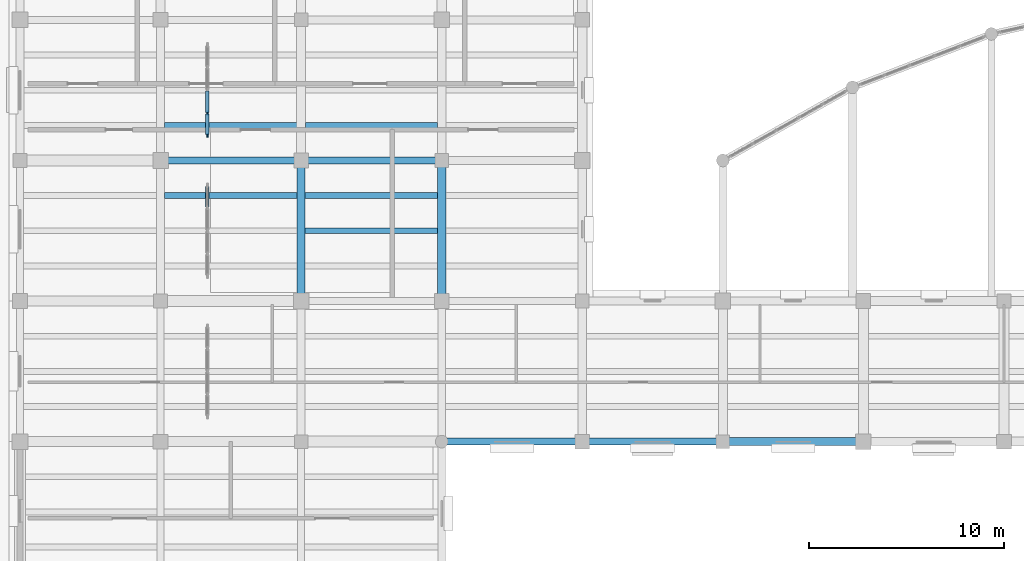
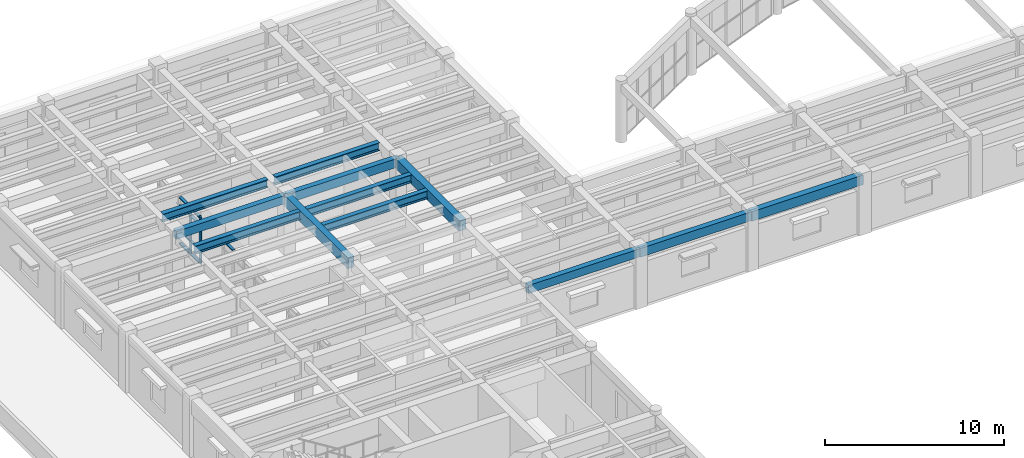
# One storey, part 14 of 76: 12 beams, 11 members, 2 elements without a shape of their own.
"""IFC4 building model written with IfcOpenShell, lengths in metres."""

from ifc_helpers import new_model, si_unit, direction, frame, origin, origin_2d, place, context, subcontext, project, spatial, rectangle, i_section, extrude, material, material_profile, profile_set, type_object, element, aggregate, save


model = new_model("IFC4")

# Units and contexts
model_context = context("Model", 3, precision=1e-05, world=origin(), true_north=direction((0.0, 1.0)))
body_context = subcontext(model_context, "Body", "Model", "MODEL_VIEW")
ifc_project = project(units=[si_unit("LENGTHUNIT", "METRE"), si_unit("AREAUNIT", "SQUARE_METRE"), si_unit("VOLUMEUNIT", "CUBIC_METRE"), si_unit("PLANEANGLEUNIT", "RADIAN"), si_unit("MASSUNIT", "GRAM", prefix="KILO")], contexts=[model_context])

# Site, building, storey
site_placement = place(None, origin())
site = spatial("IfcSite", under=ifc_project, at=site_placement, CompositionType="ELEMENT")
building_placement = place(site_placement, origin())
building = spatial("IfcBuilding", under=site, at=building_placement, Name="Mithqara Police Headquarters", CompositionType="ELEMENT")
storey_placement = place(building_placement, frame((0.0, 0.0, 5.39990234375)))
storey = spatial("IfcBuildingStorey", under=building, at=storey_placement, Name="L01", CompositionType="ELEMENT", Elevation=5.39990234375)

# Beams
ifc_material_1 = material(Name="Steel S355JR", Category="steel")
ifc_material_profile_1 = material_profile(ifc_material_1, i_section(OverallWidth=0.300048828125, OverallDepth=0.550048828125, WebThickness=0.014892578125, FlangeThickness=0.029052734375, FilletRadius=0.027099609375, at=origin_2d()), Name="HEB 550")
ifc_profile_set_1 = profile_set([ifc_material_profile_1], Name="Steel S355JR")
beam_type_1 = type_object("IfcBeamType", Name="BEAM HEB550", PredefinedType="BEAM", material=ifc_profile_set_1)
beam_1_placement = place(storey_placement, frame((15.199951171875, 91.199951171875, 3.64501953125), z_axis=(1.0, 0.0, 0.0), x_axis=(0.0, 1.0, 0.0)))
element("IfcBeam", 1, at=beam_1_placement, inside=storey, type_object=beam_type_1, Name="L01 Composite Steel Joist 3-4/N.3", PredefinedType="BEAM", context=body_context, shape_type="SweptSolid", body=[
    extrude(i_section(OverallWidth=0.300048828125, OverallDepth=0.550048828125, WebThickness=0.014892578125, FlangeThickness=0.029052734375, FilletRadius=0.027099609375, at=origin_2d()), origin(), (0.0, 0.0, 1.0), 6.800048828125),
])
for number, where, z_axis, x_axis, name in (
    (2, (15.199951171875, 94.800048828125, 3.64501953125), (1.0, 0.0, 0.0), (0.0, 1.0, 0.0), "L01 Composite Steel Joist 3-4/P.1"),
    (3, (22.39990234375, 89.39990234375, 3.64501953125), (1.0, 0.0, 0.0), (0.0, 1.0, 0.0), "L01 Composite Steel Joist 4-5/N.2"),
    (4, (22.39990234375, 91.199951171875, 3.64501953125), (1.0, 0.0, 0.0), (0.0, 1.0, 0.0), "L01 Composite Steel Joist 4-5/N.3"),
):
    element("IfcBeam", number, at=place(storey_placement, frame(where, z_axis=z_axis, x_axis=x_axis)), inside=storey, type_object=beam_type_1, Name=name, PredefinedType="BEAM", context=body_context, shape_type="SweptSolid", body=[
        extrude(i_section(OverallWidth=0.300048828125, OverallDepth=0.550048828125, WebThickness=0.014892578125, FlangeThickness=0.029052734375, FilletRadius=0.027099609375, at=origin_2d()), origin(), (0.0, 0.0, 1.0), 6.775146484375),
    ])
beam_2_placement = place(storey_placement, frame((22.425048828125, 94.800048828125, 3.64501953125), z_axis=(1.0, 0.0, 0.0), x_axis=(0.0, 1.0, 0.0)))
element("IfcBeam", 5, at=beam_2_placement, inside=storey, type_object=beam_type_1, Name="L01 Composite Steel Joist 4-5/P.1", PredefinedType="BEAM", context=body_context, shape_type="SweptSolid", body=[
    extrude(i_section(OverallWidth=0.300048828125, OverallDepth=0.550048828125, WebThickness=0.014892578125, FlangeThickness=0.029052734375, FilletRadius=0.027099609375, at=origin_2d()), origin(), (0.0, 0.0, 1.0), 6.75),
])
ifc_material_2 = material(Name="Concrete C40/50", Category="concrete")
ifc_material_profile_2 = material_profile(ifc_material_2, rectangle(XDim=0.35009765625, YDim=0.550048828125, at=origin_2d()), Name="RC 350x550")
ifc_profile_set_2 = profile_set([ifc_material_profile_2], Name="Concrete C40/50")
beam_type_2 = type_object("IfcBeamType", Name="BEAM RC350X550", PredefinedType="BEAM", material=ifc_profile_set_2)
beam_3_placement = place(storey_placement, frame((15.0, 93.0, 3.64501953125), z_axis=(1.0, 0.0, 0.0), x_axis=(0.0, 1.0, 0.0)))
element("IfcBeam", 6, at=beam_3_placement, inside=storey, type_object=beam_type_2, Name="L01 Girder 3-4/P", PredefinedType="BEAM", context=body_context, shape_type="SweptSolid", body=[
    extrude(rectangle(XDim=0.35009765625, YDim=0.550048828125, at=origin_2d()), origin(), (0.0, 0.0, 1.0), 7.199951171875),
])
beam_4_placement = place(storey_placement, frame((29.39990234375, 78.60009765625, 3.64501953125), z_axis=(1.0, 0.0, 0.0), x_axis=(0.0, 1.0, 0.0)))
element("IfcBeam", 7, at=beam_4_placement, inside=storey, type_object=beam_type_2, Name="L01 Girder 5-6/M", PredefinedType="BEAM", context=body_context, shape_type="SweptSolid", body=[
    extrude(rectangle(XDim=0.35009765625, YDim=0.550048828125, at=origin_2d()), origin(), (0.0, 0.0, 1.0), 7.2001953125),
])
ifc_material_profile_3 = material_profile(ifc_material_2, rectangle(XDim=0.35009765625, YDim=0.60009765625, at=origin_2d()), Name="RC 350x600")
ifc_profile_set_3 = profile_set([ifc_material_profile_3], Name="Concrete C40/50")
beam_type_3 = type_object("IfcBeamType", Name="BEAM RC350X600", PredefinedType="BEAM", material=ifc_profile_set_3)
for number, where, z_axis, x_axis, name in (
    (8, (22.199951171875, 93.0, 3.6201171875), (1.0, 0.0, 0.0), (0.0, 1.0, 0.0), "L01 Girder 4-5/P"),
    (9, (36.60009765625, 78.60009765625, 3.6201171875), (1.0, 0.0, 0.0), (0.0, 1.0, 0.0), "L01 Girder 6-7/M"),
):
    element("IfcBeam", number, at=place(storey_placement, frame(where, z_axis=z_axis, x_axis=x_axis)), inside=storey, type_object=beam_type_3, Name=name, PredefinedType="BEAM", context=body_context, shape_type="SweptSolid", body=[
        extrude(rectangle(XDim=0.35009765625, YDim=0.60009765625, at=origin_2d()), origin(), (0.0, 0.0, 1.0), 7.199951171875),
    ])
ifc_material_profile_4 = material_profile(ifc_material_2, rectangle(XDim=0.39990234375, YDim=0.64990234375, at=origin_2d()), Name="RC 400x650")
ifc_profile_set_4 = profile_set([ifc_material_profile_4], Name="Concrete C40/50")
beam_type_4 = type_object("IfcBeamType", Name="BEAM RC400X650", PredefinedType="BEAM", material=ifc_profile_set_4)
beam_5_placement = place(storey_placement, frame((43.800048828125, 78.60009765625, 3.59521484375), z_axis=(1.0, 0.0, 0.0), x_axis=(0.0, 1.0, 0.0)))
element("IfcBeam", 10, at=beam_5_placement, inside=storey, type_object=beam_type_4, Name="L01 Girder 7-8/M", PredefinedType="BEAM", context=body_context, shape_type="SweptSolid", body=[
    extrude(rectangle(XDim=0.39990234375, YDim=0.64990234375, at=origin_2d()), origin(), (0.0, 0.0, 1.0), 7.199951171875),
])
ifc_material_profile_5 = material_profile(ifc_material_2, rectangle(XDim=0.39990234375, YDim=0.75, at=origin_2d()), Name="RC 400x750")
ifc_profile_set_5 = profile_set([ifc_material_profile_5], Name="Concrete C40/50")
beam_type_5 = type_object("IfcBeamType", Name="BEAM RC400X750", PredefinedType="BEAM", material=ifc_profile_set_5)
beam_6_placement = place(storey_placement, frame((22.199951171875, 85.800048828125, 3.545166015625), z_axis=(0.0, 1.0, 0.0), x_axis=(-1.0, 0.0, 0.0)))
element("IfcBeam", 11, at=beam_6_placement, inside=storey, type_object=beam_type_5, Name="L01 Girder 4/N-P", PredefinedType="BEAM", context=body_context, shape_type="SweptSolid", body=[
    extrude(rectangle(XDim=0.39990234375, YDim=0.75, at=origin_2d()), origin(), (0.0, 0.0, 1.0), 7.199951171875),
])
ifc_material_profile_6 = material_profile(ifc_material_2, rectangle(XDim=0.449951171875, YDim=0.699951171875, at=origin_2d()), Name="RC 450x700")
ifc_profile_set_6 = profile_set([ifc_material_profile_6], Name="Concrete C40/50")
beam_type_6 = type_object("IfcBeamType", Name="BEAM RC450X700", PredefinedType="BEAM", material=ifc_profile_set_6)
beam_7_placement = place(storey_placement, frame((29.39990234375, 85.800048828125, 3.570068359375), z_axis=(0.0, 1.0, 0.0), x_axis=(-1.0, 0.0, 0.0)))
element("IfcBeam", 12, at=beam_7_placement, inside=storey, type_object=beam_type_6, Name="L01 Girder 5/N-P", PredefinedType="BEAM", context=body_context, shape_type="SweptSolid", body=[
    extrude(rectangle(XDim=0.449951171875, YDim=0.699951171875, at=origin_2d()), origin(), (0.0, 0.0, 1.0), 7.199951171875),
])

# Curtain wall, members
ifc_material_3 = material(Name="Bronze anodised aluminium 6063-T6", Category="aluminium")
curtain_wall_type = type_object("IfcCurtainWallType", Name="CURTAIN WALL 4700X3200", PredefinedType="USERDEFINED", material=ifc_material_3)
curtain_wall_1_placement = place(storey_placement, origin())
curtain_wall_1 = element("IfcCurtainWall", 13, at=curtain_wall_1_placement, inside=storey, type_object=curtain_wall_type, Name="L01 Unitised Glazing CW-15 (CW-INT-L01-X02-Y13-0)", ObjectType="UNITISED GLAZING", PredefinedType="USERDEFINED")
ifc_material_profile_7 = material_profile(ifc_material_3, rectangle(XDim=0.074951171875, YDim=0.219970703125, at=origin_2d()), Name="CWM 75x220")
ifc_profile_set_7 = profile_set([ifc_material_profile_7], Name="Bronze anodised aluminium 6063-T6")
member_type_1 = type_object("IfcMemberType", Name="CWMULLION 75X220", PredefinedType="MULLION", material=ifc_profile_set_7)
member_1_placement = place(storey_placement, frame((17.39990234375, 94.28759765625, 0.0), z_axis=(0.0, 0.0, 1.0), x_axis=(-1.0, 0.0, 0.0)))
member_1 = element("IfcMember", 14, at=member_1_placement, type_object=member_type_1, Name="CW-15 mullion 1", PredefinedType="MULLION", context=body_context, shape_type="SweptSolid", body=[
    extrude(rectangle(XDim=0.074951171875, YDim=0.219970703125, at=origin_2d()), origin(), (0.0, 0.0, 1.0), 3.2001953125),
])
member_2_placement = place(storey_placement, frame((17.39990234375, 95.425048828125, 0.0), z_axis=(0.0, 0.0, 1.0), x_axis=(-1.0, 0.0, 0.0)))
member_2 = element("IfcMember", 15, at=member_2_placement, type_object=member_type_1, Name="CW-15 mullion 2", PredefinedType="MULLION", context=body_context, shape_type="SweptSolid", body=[
    extrude(rectangle(XDim=0.074951171875, YDim=0.219970703125, at=origin_2d()), origin(), (0.0, 0.0, 1.0), 3.2001953125),
])

# Curtain wall, member
curtain_wall_2_placement = place(storey_placement, origin())
curtain_wall_2 = element("IfcCurtainWall", 16, at=curtain_wall_2_placement, inside=storey, type_object=curtain_wall_type, Name="L01 Unitised Glazing CW-15 (CW-INT-L01-X02-Y12-0)", ObjectType="UNITISED GLAZING", PredefinedType="USERDEFINED")
ifc_material_profile_8 = material_profile(ifc_material_3, rectangle(XDim=0.179931640625, YDim=0.074951171875, at=origin_2d()), Name="CWT 180x75")
ifc_profile_set_8 = profile_set([ifc_material_profile_8], Name="Bronze anodised aluminium 6063-T6")
member_type_2 = type_object("IfcMemberType", Name="CWTRANSOM 180X75", PredefinedType="USERDEFINED", material=ifc_profile_set_8)
member_3_placement = place(storey_placement, frame((17.39990234375, 90.612548828125, 3.16259765625), z_axis=(0.0, 1.0, 0.0), x_axis=(-1.0, 0.0, 0.0)))
member_3 = element("IfcMember", 17, at=member_3_placement, type_object=member_type_2, Name="CW-15 transom 4.4", ObjectType="TRANSOM", PredefinedType="USERDEFINED", context=body_context, shape_type="SweptSolid", body=[
    extrude(rectangle(XDim=0.179931640625, YDim=0.074951171875, at=origin_2d()), origin(), (0.0, 0.0, 1.0), 1.0625),
])
aggregate(curtain_wall_2, [member_3])

# Member
member_4_placement = place(storey_placement, frame((17.39990234375, 94.324951171875, 0.03759765625), z_axis=(0.0, 1.0, 0.0), x_axis=(-1.0, 0.0, 0.0)))
member_4 = element("IfcMember", 18, at=member_4_placement, type_object=member_type_2, Name="CW-15 transom 1.1", ObjectType="TRANSOM", PredefinedType="USERDEFINED", context=body_context, shape_type="SweptSolid", body=[
    extrude(rectangle(XDim=0.179931640625, YDim=0.074951171875, at=origin_2d()), origin(), (0.0, 0.0, 1.0), 1.0625),
])

member_5_placement = place(storey_placement, frame((17.39990234375, 94.324951171875, 0.900146484375), z_axis=(0.0, 1.0, 0.0), x_axis=(-1.0, 0.0, 0.0)))
member_5 = element("IfcMember", 19, at=member_5_placement, type_object=member_type_2, Name="CW-15 transom 1.2", ObjectType="TRANSOM", PredefinedType="USERDEFINED", context=body_context, shape_type="SweptSolid", body=[
    extrude(rectangle(XDim=0.179931640625, YDim=0.074951171875, at=origin_2d()), origin(), (0.0, 0.0, 1.0), 1.0625),
])

member_6_placement = place(storey_placement, frame((17.39990234375, 94.324951171875, 2.650146484375), z_axis=(0.0, 1.0, 0.0), x_axis=(-1.0, 0.0, 0.0)))
member_6 = element("IfcMember", 20, at=member_6_placement, type_object=member_type_2, Name="CW-15 transom 1.3", ObjectType="TRANSOM", PredefinedType="USERDEFINED", context=body_context, shape_type="SweptSolid", body=[
    extrude(rectangle(XDim=0.179931640625, YDim=0.074951171875, at=origin_2d()), origin(), (0.0, 0.0, 1.0), 1.0625),
])

member_7_placement = place(storey_placement, frame((17.39990234375, 94.324951171875, 3.16259765625), z_axis=(0.0, 1.0, 0.0), x_axis=(-1.0, 0.0, 0.0)))
member_7 = element("IfcMember", 21, at=member_7_placement, type_object=member_type_2, Name="CW-15 transom 1.4", ObjectType="TRANSOM", PredefinedType="USERDEFINED", context=body_context, shape_type="SweptSolid", body=[
    extrude(rectangle(XDim=0.179931640625, YDim=0.074951171875, at=origin_2d()), origin(), (0.0, 0.0, 1.0), 1.0625),
])

member_8_placement = place(storey_placement, frame((17.39990234375, 95.46240234375, 0.03759765625), z_axis=(0.0, 1.0, 0.0), x_axis=(-1.0, 0.0, 0.0)))
member_8 = element("IfcMember", 22, at=member_8_placement, type_object=member_type_2, Name="CW-15 transom 2.1", ObjectType="TRANSOM", PredefinedType="USERDEFINED", context=body_context, shape_type="SweptSolid", body=[
    extrude(rectangle(XDim=0.179931640625, YDim=0.074951171875, at=origin_2d()), origin(), (0.0, 0.0, 1.0), 1.10009765625),
])

member_9_placement = place(storey_placement, frame((17.39990234375, 95.46240234375, 0.900146484375), z_axis=(0.0, 1.0, 0.0), x_axis=(-1.0, 0.0, 0.0)))
member_9 = element("IfcMember", 23, at=member_9_placement, type_object=member_type_2, Name="CW-15 transom 2.2", ObjectType="TRANSOM", PredefinedType="USERDEFINED", context=body_context, shape_type="SweptSolid", body=[
    extrude(rectangle(XDim=0.179931640625, YDim=0.074951171875, at=origin_2d()), origin(), (0.0, 0.0, 1.0), 1.10009765625),
])

member_10_placement = place(storey_placement, frame((17.39990234375, 95.46240234375, 2.650146484375), z_axis=(0.0, 1.0, 0.0), x_axis=(-1.0, 0.0, 0.0)))
member_10 = element("IfcMember", 24, at=member_10_placement, type_object=member_type_2, Name="CW-15 transom 2.3", ObjectType="TRANSOM", PredefinedType="USERDEFINED", context=body_context, shape_type="SweptSolid", body=[
    extrude(rectangle(XDim=0.179931640625, YDim=0.074951171875, at=origin_2d()), origin(), (0.0, 0.0, 1.0), 1.10009765625),
])

member_11_placement = place(storey_placement, frame((17.39990234375, 95.46240234375, 3.16259765625), z_axis=(0.0, 1.0, 0.0), x_axis=(-1.0, 0.0, 0.0)))
member_11 = element("IfcMember", 25, at=member_11_placement, type_object=member_type_2, Name="CW-15 transom 2.4", ObjectType="TRANSOM", PredefinedType="USERDEFINED", context=body_context, shape_type="SweptSolid", body=[
    extrude(rectangle(XDim=0.179931640625, YDim=0.074951171875, at=origin_2d()), origin(), (0.0, 0.0, 1.0), 1.10009765625),
])

aggregate(curtain_wall_1, [member_1, member_2, member_4, member_5, member_6, member_7, member_8, member_9, member_10, member_11])

save(model, "model.ifc")
